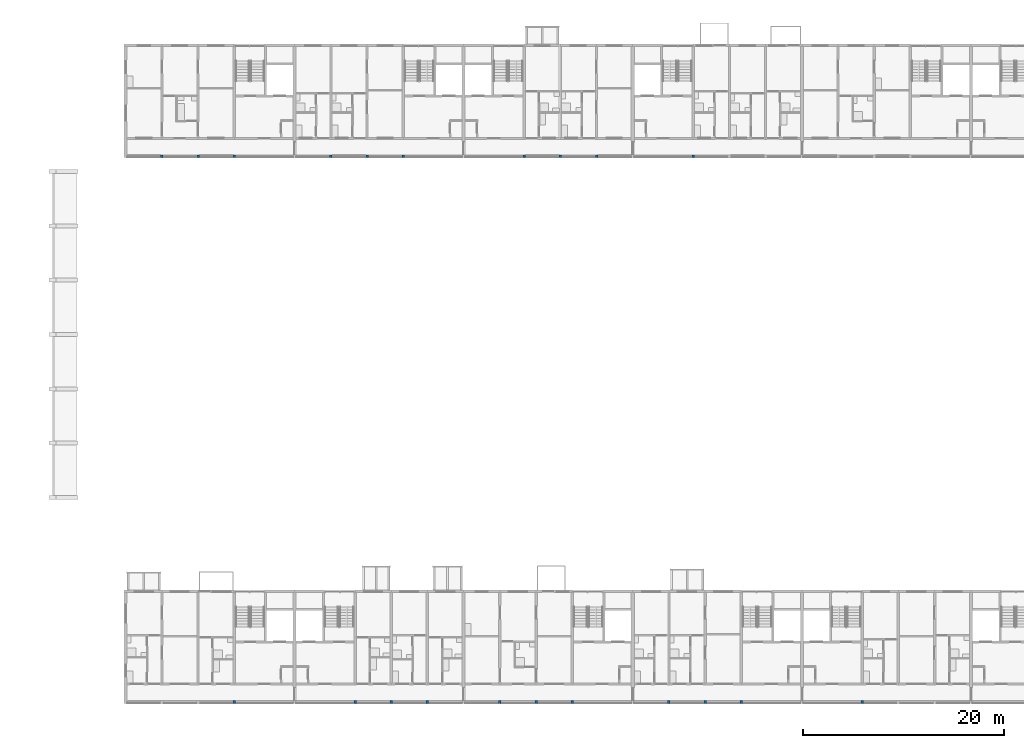
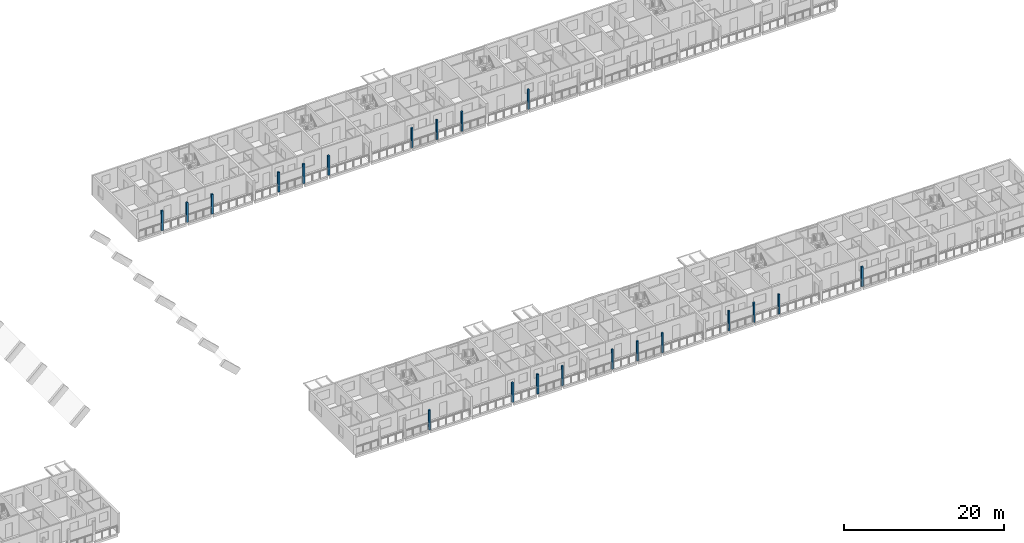
# One storey, part 3 of 98: 21 columns.
"""IFC4 building model written with IfcOpenShell, lengths in metres."""

from ifc_helpers import new_model, si_unit, direction, frame, origin, origin_2d, place, context, subcontext, project, spatial, rectangle, extrude, material, material_profile, profile_set, type_object, element, save


model = new_model("IFC4")

# Units and contexts
model_context = context("Model", 3, precision=1e-05, world=origin(), true_north=direction((0.0, 1.0)))
body_context = subcontext(model_context, "Body", "Model", "MODEL_VIEW")
ifc_project = project(units=[si_unit("LENGTHUNIT", "METRE"), si_unit("AREAUNIT", "SQUARE_METRE"), si_unit("VOLUMEUNIT", "CUBIC_METRE"), si_unit("PLANEANGLEUNIT", "RADIAN"), si_unit("MASSUNIT", "GRAM", prefix="KILO")], contexts=[model_context])

# Site, building, storey
site_placement = place(None, origin())
site = spatial("IfcSite", under=ifc_project, at=site_placement, CompositionType="ELEMENT")
building_placement = place(site_placement, origin())
building = spatial("IfcBuilding", under=site, at=building_placement, Name="Ridgestep Commons", CompositionType="ELEMENT")
storey_placement = place(building_placement, frame((0.0, 0.0, 12.0)))
storey = spatial("IfcBuildingStorey", under=building, at=storey_placement, Name="L04", CompositionType="ELEMENT", Elevation=12.0)

# Columns
ifc_material = material(Name="Precast concrete C40/50", Category="concrete")
ifc_material_profile = material_profile(ifc_material, rectangle(XDim=0.25, YDim=0.25, at=origin_2d()), Name="PC 250x250")
ifc_profile_set = profile_set([ifc_material_profile], Name="Precast concrete C40/50")
column_type = type_object("IfcColumnType", Name="Loggia column 250 x 250", PredefinedType="COLUMN", material=ifc_profile_set)
for number, where, z_axis, x_axis, name in (
    (1, (150.39990234375, 66.125, 0.0), (0.0, 0.0, 1.0), (1.0, 0.0, 0.0), "Loggia column C L04"),
    (2, (154.0, 66.125, 0.0), (0.0, 0.0, 1.0), (1.0, 0.0, 0.0), "Loggia column C L04"),
    (3, (157.60009765625, 66.125, 0.0), (0.0, 0.0, 1.0), (1.0, 0.0, 0.0), "Loggia column C L04"),
    (4, (167.199951171875, 66.125, 0.0), (0.0, 0.0, 1.0), (1.0, 0.0, 0.0), "Loggia column C L04"),
    (5, (170.800048828125, 66.125, 0.0), (0.0, 0.0, 1.0), (1.0, 0.0, 0.0), "Loggia column C L04"),
    (6, (174.39990234375, 66.125, 0.0), (0.0, 0.0, 1.0), (1.0, 0.0, 0.0), "Loggia column C L04"),
    (7, (186.39990234375, 66.125, 0.0), (0.0, 0.0, 1.0), (1.0, 0.0, 0.0), "Loggia column C L04"),
    (8, (190.0, 66.125, 0.0), (0.0, 0.0, 1.0), (1.0, 0.0, 0.0), "Loggia column C L04"),
    (9, (193.60009765625, 66.125, 0.0), (0.0, 0.0, 1.0), (1.0, 0.0, 0.0), "Loggia column C L04"),
    (10, (203.199951171875, 66.125, 0.0), (0.0, 0.0, 1.0), (1.0, 0.0, 0.0), "Loggia column C L04"),
    (11, (157.60009765625, 11.875, 0.0), (0.0, 0.0, 1.0), (1.0, 0.0, 0.0), "Loggia column D L04"),
    (12, (169.60009765625, 11.875, 0.0), (0.0, 0.0, 1.0), (1.0, 0.0, 0.0), "Loggia column D L04"),
    (13, (173.199951171875, 11.875, 0.0), (0.0, 0.0, 1.0), (1.0, 0.0, 0.0), "Loggia column D L04"),
    (14, (176.800048828125, 11.875, 0.0), (0.0, 0.0, 1.0), (1.0, 0.0, 0.0), "Loggia column D L04"),
    (15, (184.0, 11.875, 0.0), (0.0, 0.0, 1.0), (1.0, 0.0, 0.0), "Loggia column D L04"),
    (16, (187.60009765625, 11.875, 0.0), (0.0, 0.0, 1.0), (1.0, 0.0, 0.0), "Loggia column D L04"),
    (17, (191.199951171875, 11.875, 0.0), (0.0, 0.0, 1.0), (1.0, 0.0, 0.0), "Loggia column D L04"),
    (18, (200.800048828125, 11.875, 0.0), (0.0, 0.0, 1.0), (1.0, 0.0, 0.0), "Loggia column D L04"),
    (19, (204.39990234375, 11.875, 0.0), (0.0, 0.0, 1.0), (1.0, 0.0, 0.0), "Loggia column D L04"),
    (20, (208.0, 11.875, 0.0), (0.0, 0.0, 1.0), (1.0, 0.0, 0.0), "Loggia column D L04"),
    (21, (220.0, 11.875, 0.0), (0.0, 0.0, 1.0), (1.0, 0.0, 0.0), "Loggia column D L04"),
):
    element("IfcColumn", number, at=place(storey_placement, frame(where, z_axis=z_axis, x_axis=x_axis)), inside=storey, type_object=column_type, Name=name, PredefinedType="COLUMN", context=body_context, shape_type="SweptSolid", body=[
        extrude(rectangle(XDim=0.25, YDim=0.25, at=origin_2d()), origin(), (0.0, 0.0, 1.0), 3.0),
    ])

save(model, "model.ifc")
